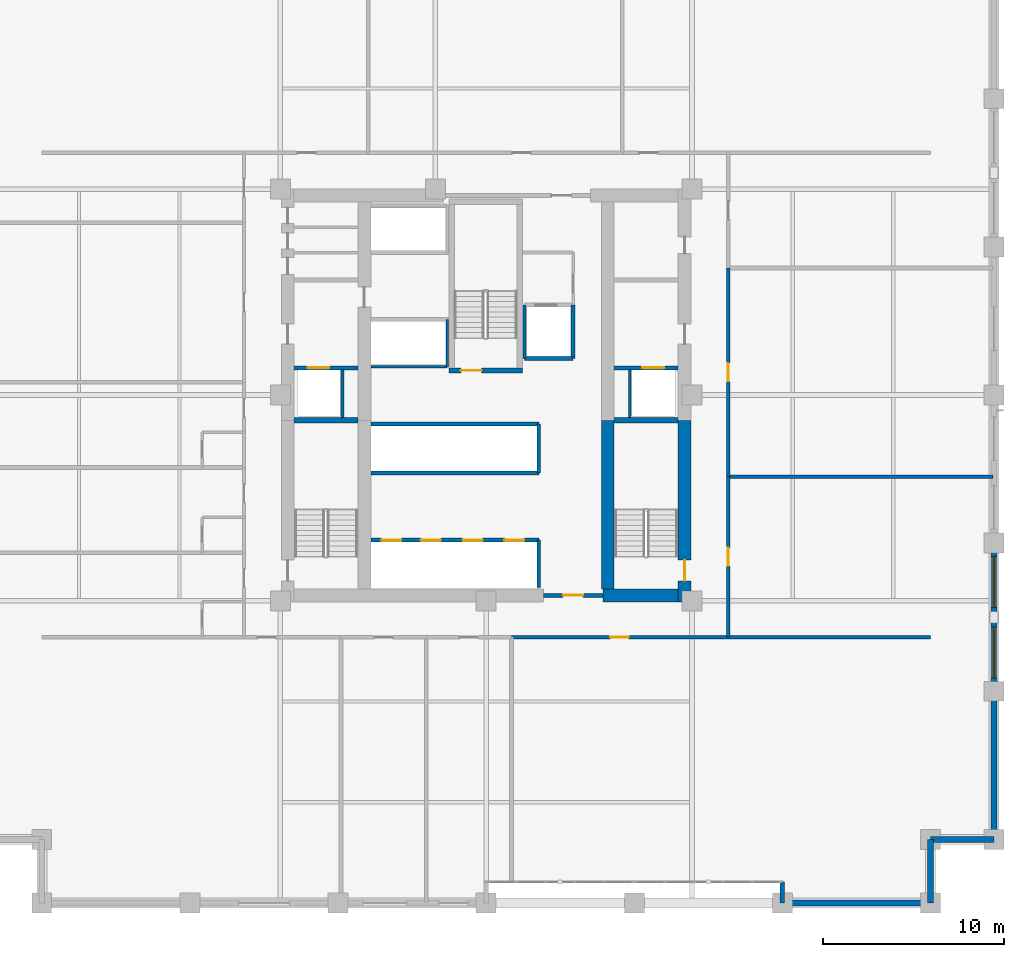
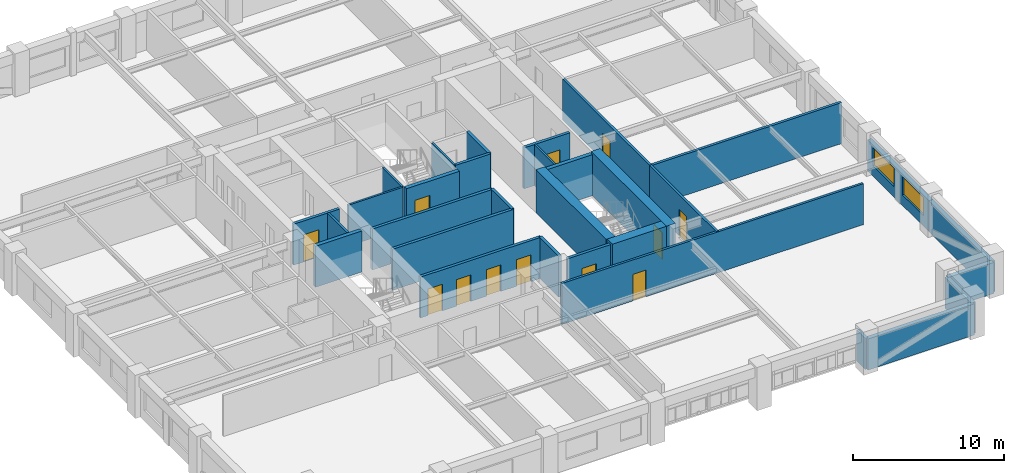
# One storey, part 8 of 13: 31 walls, 12 doors, 2 windows, 14 openings.
"""IFC4 building model written with IfcOpenShell, lengths in metres."""

from ifc_helpers import new_model, si_unit, direction, frame, frame_2d, origin, place, context, subcontext, project, spatial, rectangle, extrude, material, layer, layer_set, type_object, element, fill, save


model = new_model("IFC4")

# Units and contexts
model_context = context("Model", 3, precision=1e-05, world=origin(), true_north=direction((0.0, 1.0)))
body_context = subcontext(model_context, "Body", "Model", "MODEL_VIEW")
ifc_project = project(units=[si_unit("LENGTHUNIT", "METRE"), si_unit("AREAUNIT", "SQUARE_METRE"), si_unit("VOLUMEUNIT", "CUBIC_METRE"), si_unit("PLANEANGLEUNIT", "RADIAN"), si_unit("MASSUNIT", "GRAM", prefix="KILO")], contexts=[model_context])

# Site, building, storey
site_placement = place(None, origin())
site = spatial("IfcSite", under=ifc_project, at=site_placement, CompositionType="ELEMENT")
building_placement = place(site_placement, origin())
building = spatial("IfcBuilding", under=site, at=building_placement, Name="Nhamokura Convention Tower", CompositionType="ELEMENT")
storey_placement = place(building_placement, frame((0.0, 0.0, 63.35009765625)))
storey = spatial("IfcBuildingStorey", under=building, at=storey_placement, Name="L14", CompositionType="ELEMENT", Elevation=63.35009765625)

# Walls
ifc_material_1 = material(Name="Bronze-pigmented precast concrete C45/55", Category="concrete")
ifc_layer_1 = layer(ifc_material_1, 0.320068359375)
ifc_layer_set_1 = layer_set([ifc_layer_1], Name="BronzePrecastSpandrel_320")
wall_type_1 = type_object("IfcWallType", Name="BronzePrecastSpandrel_320", PredefinedType="USERDEFINED", material=ifc_layer_set_1)
wall_1_placement = place(storey_placement, frame((48.333251953125, 4.0, 0.0), z_axis=(0.0, 0.0, 1.0), x_axis=(0.0, 1.0, 0.0)))
element("IfcWall", 1, at=wall_1_placement, inside=storey, type_object=wall_type_1, Name="L14 Scale Slot Cheek Wall SOUTHB", ObjectType="SPANDREL_WALL", PredefinedType="USERDEFINED", context=body_context, shape_type="SweptSolid", body=[
    extrude(rectangle(XDim=1.14990234375, YDim=0.239990234375, at=frame_2d((0.574951171875, 0.0))), origin(), (0.0, 0.0, 1.0), 2.52001953125),
])
for number, where, z_axis, x_axis, name in (
    (2, (56.5, 4.0, 0.0), (0.0, 0.0, 1.0), (-1.0, 0.0, 0.0), "L14 Braced-Bay Precast Wall SOUTH 5"),
    (3, (60.0, 15.666748046875, 0.0), (0.0, 0.0, 1.0), (0.0, -1.0, 0.0), "L14 Braced-Bay Precast Wall EAST 0"),
):
    element("IfcWall", number, at=place(storey_placement, frame(where, z_axis=z_axis, x_axis=x_axis)), inside=storey, type_object=wall_type_1, Name=name, ObjectType="SPANDREL_WALL", PredefinedType="USERDEFINED", context=body_context, shape_type="SweptSolid", body=[
        extrude(rectangle(XDim=8.166748046875, YDim=0.320068359375, at=frame_2d((4.08349609375, 0.0))), origin(), (0.0, 0.0, 1.0), 2.52001953125),
    ])

# Wall, openings, windows
wall_2_placement = place(storey_placement, frame((60.0, 23.833251953125, 0.0), z_axis=(0.0, 0.0, 1.0), x_axis=(0.0, -1.0, 0.0)))
wall_2 = element("IfcWall", 4, at=wall_2_placement, inside=storey, type_object=wall_type_1, Name="L14 Masonry-Frame Wall EAST 1", ObjectType="SPANDREL_WALL", PredefinedType="USERDEFINED", context=body_context, shape_type="SweptSolid", body=[
    extrude(rectangle(XDim=8.16650390625, YDim=0.320068359375, at=frame_2d((4.083251953125, 0.0))), origin(), (0.0, 0.0, 1.0), 2.52001953125),
])
opening_1_placement = place(wall_2_placement, frame((0.74169921875, 0.0, 0.85009765625)))
opening_1 = element("IfcOpeningElement", 5, at=opening_1_placement, cuts=wall_2, Name="Opening W-04", PredefinedType="OPENING", context=body_context, shape_type="SweptSolid", body=[
    extrude(rectangle(XDim=2.800048828125, YDim=1.469970703125, at=frame_2d((1.39990234375, 0.73486328125))), frame((0.0, 0.169921875, 0.0), z_axis=(0.0, -1.0, 0.0), x_axis=(1.0, 0.0, 0.0)), (0.0, 0.0, 1.0), 0.340087890625),
])
opening_2_placement = place(wall_2_placement, frame((4.625, 0.0, 0.85009765625)))
opening_2 = element("IfcOpeningElement", 6, at=opening_2_placement, cuts=wall_2, Name="Opening W-04", PredefinedType="OPENING", context=body_context, shape_type="SweptSolid", body=[
    extrude(rectangle(XDim=2.800048828125, YDim=1.469970703125, at=frame_2d((1.39990234375, 0.73486328125))), frame((0.0, 0.169921875, 0.0), z_axis=(0.0, -1.0, 0.0), x_axis=(1.0, 0.0, 0.0)), (0.0, 0.0, 1.0), 0.340087890625),
])
ifc_material_2 = material(Name="Solar-control bronze low-E double glass", Category="glass")
window_type = type_object("IfcWindowType", Name="HotelSuiteWindow_2800", PartitioningType="DOUBLE_PANEL_VERTICAL", PredefinedType="WINDOW", material=ifc_material_2)
window_1_placement = place(opening_1_placement, origin())
window_1 = element("IfcWindow", 7, at=window_1_placement, inside=storey, type_object=window_type, Name="L14 Facade Window EAST 1-1", OverallHeight=1.469970703125, OverallWidth=2.800048828125, PartitioningType="SINGLE_PANEL", PredefinedType="WINDOW", context=body_context, shape_type="SweptSolid", body=[
    extrude(rectangle(XDim=2.800048828125, YDim=1.469970703125, at=frame_2d((1.39990234375, 0.73486328125))), frame((0.0, 0.030029296875, 0.0), z_axis=(0.0, -1.0, 0.0), x_axis=(1.0, 0.0, 0.0)), (0.0, 0.0, 1.0), 0.06005859375),
])
fill(opening_1, window_1)
window_2_placement = place(opening_2_placement, origin())
window_2 = element("IfcWindow", 8, at=window_2_placement, inside=storey, type_object=window_type, Name="L14 Facade Window EAST 1-2", OverallHeight=1.469970703125, OverallWidth=2.800048828125, PartitioningType="SINGLE_PANEL", PredefinedType="WINDOW", context=body_context, shape_type="SweptSolid", body=[
    extrude(rectangle(XDim=2.800048828125, YDim=1.469970703125, at=frame_2d((1.39990234375, 0.73486328125))), frame((0.0, 0.030029296875, 0.0), z_axis=(0.0, -1.0, 0.0), x_axis=(1.0, 0.0, 0.0)), (0.0, 0.0, 1.0), 0.06005859375),
])
fill(opening_2, window_2)

# Walls
for number, where, z_axis, x_axis, name in (
    (9, (56.5, 7.5, 0.0), (0.0, 0.0, 1.0), (0.0, -1.0, 0.0), "L14 Notched Corner Wall SE1"),
    (10, (60.0, 7.5, 0.0), (0.0, 0.0, 1.0), (-1.0, 0.0, 0.0), "L14 Notched Corner Wall SE2"),
):
    element("IfcWall", number, at=place(storey_placement, frame(where, z_axis=z_axis, x_axis=x_axis)), inside=storey, type_object=wall_type_1, Name=name, ObjectType="SPANDREL_WALL", PredefinedType="USERDEFINED", context=body_context, shape_type="SweptSolid", body=[
        extrude(rectangle(XDim=3.5, YDim=0.320068359375, at=frame_2d((1.75, 0.0))), origin(), (0.0, 0.0, 1.0), 2.52001953125),
    ])

# Wall, opening, door
ifc_material_3 = material(Name="Concrete C70/85", Category="concrete")
ifc_layer_2 = layer(ifc_material_3, 0.699951171875)
ifc_layer_set_2 = layer_set([ifc_layer_2], Name="CoreShearWall_700")
wall_type_2 = type_object("IfcWallType", Name="CoreShearWall_700", PredefinedType="SHEAR", material=ifc_layer_set_2)
wall_3_placement = place(storey_placement, frame((42.93994140625, 20.60009765625, 0.0), z_axis=(0.0, 0.0, 1.0), x_axis=(0.0, 1.0, 0.0)))
wall_3 = element("IfcWall", 11, at=wall_3_placement, inside=storey, type_object=wall_type_2, Name="L14 Core Shear Wall CW-ES", PredefinedType="SHEAR", context=body_context, shape_type="SweptSolid", body=[
    extrude(rectangle(XDim=10.0, YDim=0.699951171875, at=frame_2d((5.0, 0.0))), origin(), (0.0, 0.0, 1.0), 3.5),
])
opening_3_placement = place(wall_3_placement, frame((1.14990234375, 0.0, 0.0)))
opening_3 = element("IfcOpeningElement", 12, at=opening_3_placement, cuts=wall_3, Name="Opening D-04", PredefinedType="OPENING", context=body_context, shape_type="SweptSolid", body=[
    extrude(rectangle(XDim=1.14990234375, YDim=2.14990234375, at=frame_2d((0.574951171875, 1.074951171875))), frame((0.0, 0.35986328125, 0.0), z_axis=(0.0, -1.0, 0.0), x_axis=(1.0, 0.0, 0.0)), (0.0, 0.0, 1.0), 0.719970703125),
])
ifc_material_4 = material(Name="Fire-rated steel door", Category="steel")
door_type_1 = type_object("IfcDoorType", Name="StairSmokeDoor_1150", OperationType="NOTDEFINED", PredefinedType="DOOR", material=ifc_material_4)
door_1_placement = place(opening_3_placement, origin())
door_1 = element("IfcDoor", 13, at=door_1_placement, inside=storey, type_object=door_type_1, Name="L14 Core Door INT-L14-D-ST02", OperationType="SINGLE_SWING_RIGHT", OverallHeight=2.14990234375, OverallWidth=1.14990234375, PredefinedType="DOOR", context=body_context, shape_type="SweptSolid", body=[
    extrude(rectangle(XDim=1.14990234375, YDim=2.14990234375, at=frame_2d((0.574951171875, 1.074951171875))), frame((0.0, 0.02490234375, 0.0), z_axis=(0.0, -1.0, 0.0), x_axis=(1.0, 0.0, 0.0)), (0.0, 0.0, 1.0), 0.050048828125),
])
fill(opening_3, door_1)

# Walls
wall_4_placement = place(storey_placement, frame((38.449951171875, 20.949951171875, 0.0), z_axis=(0.0, 0.0, 1.0), x_axis=(1.0, 0.0, 0.0)))
element("IfcWall", 14, at=wall_4_placement, inside=storey, type_object=wall_type_2, Name="L14 Core Shear Wall CW-S2", PredefinedType="SHEAR", context=body_context, shape_type="SweptSolid", body=[
    extrude(rectangle(XDim=4.14013671875, YDim=0.699951171875, at=frame_2d((2.070068359375, 0.0))), origin(), (0.0, 0.0, 1.0), 3.5),
])
wall_5_placement = place(storey_placement, frame((38.7099609375, 21.300048828125, 0.0), z_axis=(0.0, 0.0, 1.0), x_axis=(0.0, 1.0, 0.0)))
element("IfcWall", 15, at=wall_5_placement, inside=storey, type_object=wall_type_2, Name="L14 Core Shear Wall CW-IES", PredefinedType="SHEAR", context=body_context, shape_type="SweptSolid", body=[
    extrude(rectangle(XDim=9.300048828125, YDim=0.699951171875, at=frame_2d((4.64990234375, 0.0))), origin(), (0.0, 0.0, 1.0), 3.5),
])

# Wall, opening, door
ifc_material_5 = material(Name="Fire-rated gypsum and masonry partition", Category="masonry")
ifc_layer_3 = layer(ifc_material_5, 0.179931640625)
ifc_layer_set_3 = layer_set([ifc_layer_3], Name="CorridorRatedWall_180")
wall_type_3 = type_object("IfcWallType", Name="CorridorRatedWall_180", PredefinedType="STANDARD", material=ifc_layer_set_3)
wall_6_placement = place(storey_placement, frame((33.39990234375, 18.64990234375, 0.0), z_axis=(0.0, 0.0, 1.0), x_axis=(1.0, 0.0, 0.0)))
wall_6 = element("IfcWall", 16, at=wall_6_placement, inside=storey, type_object=wall_type_3, Name="L14 Wall INT-L14-CW-S03", PredefinedType="STANDARD", context=body_context, shape_type="SweptSolid", body=[
    extrude(rectangle(XDim=23.10009765625, YDim=0.179931640625, at=frame_2d((11.550048828125, 0.0))), origin(), (0.0, 0.0, 1.0), 3.31982421875),
])
opening_4_placement = place(wall_6_placement, frame((5.449951171875, 0.0, 0.0)))
opening_4 = element("IfcOpeningElement", 17, at=opening_4_placement, cuts=wall_6, Name="Opening D-07", PredefinedType="OPENING", context=body_context, shape_type="SweptSolid", body=[
    extrude(rectangle(XDim=1.0, YDim=2.14990234375, at=frame_2d((0.5, 1.074951171875))), frame((0.0, 0.099853515625, 0.0), z_axis=(0.0, -1.0, 0.0), x_axis=(1.0, 0.0, 0.0)), (0.0, 0.0, 1.0), 0.199951171875),
])
ifc_material_6 = material(Name="Solid oak hardwood", Category="wood")
door_type_2 = type_object("IfcDoorType", Name="HotelSuiteEntryDoor_1000", OperationType="NOTDEFINED", PredefinedType="DOOR", material=ifc_material_6)
door_2_placement = place(opening_4_placement, origin())
door_2 = element("IfcDoor", 18, at=door_2_placement, inside=storey, type_object=door_type_2, Name="L14 Conference Salon S04 Door", OperationType="SINGLE_SWING_RIGHT", OverallHeight=2.14990234375, OverallWidth=1.0, PredefinedType="DOOR", context=body_context, shape_type="SweptSolid", body=[
    extrude(rectangle(XDim=1.0, YDim=2.14990234375, at=frame_2d((0.5, 1.074951171875))), frame((0.0, 0.02490234375, 0.0), z_axis=(0.0, -1.0, 0.0), x_axis=(1.0, 0.0, 0.0)), (0.0, 0.0, 1.0), 0.050048828125),
])
fill(opening_4, door_2)

wall_7_placement = place(storey_placement, frame((45.35009765625, 18.64990234375, 0.0), z_axis=(0.0, 0.0, 1.0), x_axis=(0.0, 1.0, 0.0)))
wall_7 = element("IfcWall", 19, at=wall_7_placement, inside=storey, type_object=wall_type_3, Name="L14 Wall INT-L14-CW-E00", PredefinedType="STANDARD", context=body_context, shape_type="SweptSolid", body=[
    extrude(rectangle(XDim=8.85009765625, YDim=0.179931640625, at=frame_2d((4.425048828125, 0.0))), origin(), (0.0, 0.0, 1.0), 3.31982421875),
])
opening_5_placement = place(wall_7_placement, frame((3.925048828125, 0.0, 0.0)))
opening_5 = element("IfcOpeningElement", 20, at=opening_5_placement, cuts=wall_7, Name="Opening D-07", PredefinedType="OPENING", context=body_context, shape_type="SweptSolid", body=[
    extrude(rectangle(XDim=1.0, YDim=2.14990234375, at=frame_2d((0.5, 1.074951171875))), frame((0.0, 0.099853515625, 0.0), z_axis=(0.0, -1.0, 0.0), x_axis=(1.0, 0.0, 0.0)), (0.0, 0.0, 1.0), 0.199951171875),
])
door_3_placement = place(opening_5_placement, origin())
door_3 = element("IfcDoor", 21, at=door_3_placement, inside=storey, type_object=door_type_2, Name="L14 Business Studio E01 Door", OperationType="SINGLE_SWING_LEFT", OverallHeight=2.14990234375, OverallWidth=1.0, PredefinedType="DOOR", context=body_context, shape_type="SweptSolid", body=[
    extrude(rectangle(XDim=1.0, YDim=2.14990234375, at=frame_2d((0.5, 1.074951171875))), frame((0.0, 0.02490234375, 0.0), z_axis=(0.0, -1.0, 0.0), x_axis=(1.0, 0.0, 0.0)), (0.0, 0.0, 1.0), 0.050048828125),
])
fill(opening_5, door_3)

wall_8_placement = place(storey_placement, frame((45.35009765625, 27.5, 0.0), z_axis=(0.0, 0.0, 1.0), x_axis=(0.0, 1.0, 0.0)))
wall_8 = element("IfcWall", 22, at=wall_8_placement, inside=storey, type_object=wall_type_3, Name="L14 Wall INT-L14-CW-E01", PredefinedType="STANDARD", context=body_context, shape_type="SweptSolid", body=[
    extrude(rectangle(XDim=11.5, YDim=0.179931640625, at=frame_2d((5.75, 0.0))), origin(), (0.0, 0.0, 1.0), 3.31982421875),
])
opening_6_placement = place(wall_8_placement, frame((5.25, 0.0, 0.0)))
opening_6 = element("IfcOpeningElement", 23, at=opening_6_placement, cuts=wall_8, Name="Opening D-07", PredefinedType="OPENING", context=body_context, shape_type="SweptSolid", body=[
    extrude(rectangle(XDim=1.0, YDim=2.14990234375, at=frame_2d((0.5, 1.074951171875))), frame((0.0, 0.099853515625, 0.0), z_axis=(0.0, -1.0, 0.0), x_axis=(1.0, 0.0, 0.0)), (0.0, 0.0, 1.0), 0.199951171875),
])
door_4_placement = place(opening_6_placement, origin())
door_4 = element("IfcDoor", 24, at=door_4_placement, inside=storey, type_object=door_type_2, Name="L14 Housekeeping Store E02 Door", OperationType="SINGLE_SWING_RIGHT", OverallHeight=2.14990234375, OverallWidth=1.0, PredefinedType="DOOR", context=body_context, shape_type="SweptSolid", body=[
    extrude(rectangle(XDim=1.0, YDim=2.14990234375, at=frame_2d((0.5, 1.074951171875))), frame((0.0, 0.02490234375, 0.0), z_axis=(0.0, -1.0, 0.0), x_axis=(1.0, 0.0, 0.0)), (0.0, 0.0, 1.0), 0.050048828125),
])
fill(opening_6, door_4)

ifc_material_7 = material(Name="Autoclaved concrete blockwork", Category="masonry")
ifc_layer_4 = layer(ifc_material_7, 0.219970703125)
ifc_layer_set_4 = layer_set([ifc_layer_4], Name="FireLobbyWall_220")
wall_type_4 = type_object("IfcWallType", Name="FireLobbyWall_220", PredefinedType="STANDARD", material=ifc_layer_set_4)
wall_9_placement = place(storey_placement, frame((21.409912109375, 33.5, 0.0), z_axis=(0.0, 0.0, 1.0), x_axis=(1.0, 0.0, 0.0)))
wall_9 = element("IfcWall", 25, at=wall_9_placement, inside=storey, type_object=wall_type_4, Name="L14 Wall INT-L14-FFW-S", PredefinedType="STANDARD", context=body_context, shape_type="SweptSolid", body=[
    extrude(rectangle(XDim=3.530029296875, YDim=0.219970703125, at=frame_2d((1.76513671875, 0.0))), origin(), (0.0, 0.0, 1.0), 3.31982421875),
])
opening_7_placement = place(wall_9_placement, frame((0.75, 0.0, 0.0)))
opening_7 = element("IfcOpeningElement", 26, at=opening_7_placement, cuts=wall_9, Name="Opening LD-02", PredefinedType="OPENING", context=body_context, shape_type="SweptSolid", body=[
    extrude(rectangle(XDim=1.199951171875, YDim=2.199951171875, at=frame_2d((0.60009765625, 1.10009765625))), frame((0.0, 0.119873046875, 0.0), z_axis=(0.0, -1.0, 0.0), x_axis=(1.0, 0.0, 0.0)), (0.0, 0.0, 1.0), 0.239990234375),
])
ifc_material_8 = material(Name="Anodised bronze stainless steel", Category="steel")
door_type_3 = type_object("IfcDoorType", Name="LiftLandingDoor_FireService", OperationType="DOUBLE_DOOR_SLIDING", PredefinedType="DOOR", material=ifc_material_8)
door_5_placement = place(opening_7_placement, origin())
door_5 = element("IfcDoor", 27, at=door_5_placement, inside=storey, type_object=door_type_3, Name="L14 Firefighting Lift LF-01 Door", OperationType="DOUBLE_DOOR_SLIDING", OverallHeight=2.199951171875, OverallWidth=1.199951171875, PredefinedType="DOOR", context=body_context, shape_type="SweptSolid", body=[
    extrude(rectangle(XDim=1.199951171875, YDim=2.199951171875, at=frame_2d((0.60009765625, 1.10009765625))), frame((0.0, 0.02490234375, 0.0), z_axis=(0.0, -1.0, 0.0), x_axis=(1.0, 0.0, 0.0)), (0.0, 0.0, 1.0), 0.050048828125),
])
fill(opening_7, door_5)

wall_10_placement = place(storey_placement, frame((39.06005859375, 33.5, 0.0), z_axis=(0.0, 0.0, 1.0), x_axis=(1.0, 0.0, 0.0)))
wall_10 = element("IfcWall", 28, at=wall_10_placement, inside=storey, type_object=wall_type_4, Name="L14 Wall INT-L14-FFE-S", PredefinedType="STANDARD", context=body_context, shape_type="SweptSolid", body=[
    extrude(rectangle(XDim=3.530029296875, YDim=0.219970703125, at=frame_2d((1.76513671875, 0.0))), origin(), (0.0, 0.0, 1.0), 3.31982421875),
])
opening_8_placement = place(wall_10_placement, frame((1.550048828125, 0.0, 0.0)))
opening_8 = element("IfcOpeningElement", 29, at=opening_8_placement, cuts=wall_10, Name="Opening LD-02", PredefinedType="OPENING", context=body_context, shape_type="SweptSolid", body=[
    extrude(rectangle(XDim=1.199951171875, YDim=2.199951171875, at=frame_2d((0.60009765625, 1.10009765625))), frame((0.0, 0.119873046875, 0.0), z_axis=(0.0, -1.0, 0.0), x_axis=(1.0, 0.0, 0.0)), (0.0, 0.0, 1.0), 0.239990234375),
])
door_6_placement = place(opening_8_placement, origin())
door_6 = element("IfcDoor", 30, at=door_6_placement, inside=storey, type_object=door_type_3, Name="L14 Firefighting Lift LF-02 Door", OperationType="DOUBLE_DOOR_SLIDING", OverallHeight=2.199951171875, OverallWidth=1.199951171875, PredefinedType="DOOR", context=body_context, shape_type="SweptSolid", body=[
    extrude(rectangle(XDim=1.199951171875, YDim=2.199951171875, at=frame_2d((0.60009765625, 1.10009765625))), frame((0.0, 0.02490234375, 0.0), z_axis=(0.0, -1.0, 0.0), x_axis=(1.0, 0.0, 0.0)), (0.0, 0.0, 1.0), 0.050048828125),
])
fill(opening_8, door_6)

wall_11_placement = place(storey_placement, frame((35.14990234375, 20.949951171875, 0.0), z_axis=(0.0, 0.0, 1.0), x_axis=(1.0, 0.0, 0.0)))
wall_11 = element("IfcWall", 31, at=wall_11_placement, inside=storey, type_object=wall_type_4, Name="L14 Wall INT-L14-SPORT-S", PredefinedType="STANDARD", context=body_context, shape_type="SweptSolid", body=[
    extrude(rectangle(XDim=3.300048828125, YDim=0.219970703125, at=frame_2d((1.64990234375, 0.0))), origin(), (0.0, 0.0, 1.0), 3.31982421875),
])
opening_9_placement = place(wall_11_placement, frame((1.10009765625, 0.0, 0.0)))
opening_9 = element("IfcOpeningElement", 32, at=opening_9_placement, cuts=wall_11, Name="Opening D-05", PredefinedType="OPENING", context=body_context, shape_type="SweptSolid", body=[
    extrude(rectangle(XDim=1.10009765625, YDim=2.14990234375, at=frame_2d((0.550048828125, 1.074951171875))), frame((0.0, 0.119873046875, 0.0), z_axis=(0.0, -1.0, 0.0), x_axis=(1.0, 0.0, 0.0)), (0.0, 0.0, 1.0), 0.239990234375),
])
ifc_material_9 = material(Name="Fire-rated steel door", Category="steel")
door_type_4 = type_object("IfcDoorType", Name="FireLobbyDoor_1100", OperationType="NOTDEFINED", PredefinedType="DOOR", material=ifc_material_9)
door_7_placement = place(opening_9_placement, origin())
door_7 = element("IfcDoor", 33, at=door_7_placement, inside=storey, type_object=door_type_4, Name="L14 South Core Lobby Portal Door", OperationType="SINGLE_SWING_LEFT", OverallHeight=2.14990234375, OverallWidth=1.10009765625, PredefinedType="DOOR", context=body_context, shape_type="SweptSolid", body=[
    extrude(rectangle(XDim=1.10009765625, YDim=2.14990234375, at=frame_2d((0.550048828125, 1.074951171875))), frame((0.0, 0.02490234375, 0.0), z_axis=(0.0, -1.0, 0.0), x_axis=(1.0, 0.0, 0.0)), (0.0, 0.0, 1.0), 0.050048828125),
])
fill(opening_9, door_7)

# Wall, openings, doors
wall_12_placement = place(storey_placement, frame((25.64990234375, 24.0, 0.0), z_axis=(0.0, 0.0, 1.0), x_axis=(1.0, 0.0, 0.0)))
wall_12 = element("IfcWall", 34, at=wall_12_placement, inside=storey, type_object=wall_type_4, Name="L14 Wall INT-L14-B1N", PredefinedType="STANDARD", context=body_context, shape_type="SweptSolid", body=[
    extrude(rectangle(XDim=9.25, YDim=0.219970703125, at=frame_2d((4.625, 0.0))), origin(), (0.0, 0.0, 1.0), 3.31982421875),
])
opening_10_placement = place(wall_12_placement, frame((0.580078125, 0.0, 0.0)))
opening_10 = element("IfcOpeningElement", 35, at=opening_10_placement, cuts=wall_12, Name="Opening LD-01", PredefinedType="OPENING", context=body_context, shape_type="SweptSolid", body=[
    extrude(rectangle(XDim=1.10009765625, YDim=2.14990234375, at=frame_2d((0.550048828125, 1.074951171875))), frame((0.0, 0.119873046875, 0.0), z_axis=(0.0, -1.0, 0.0), x_axis=(1.0, 0.0, 0.0)), (0.0, 0.0, 1.0), 0.239990234375),
])
opening_11_placement = place(wall_12_placement, frame((2.75, 0.0, 0.0)))
opening_11 = element("IfcOpeningElement", 36, at=opening_11_placement, cuts=wall_12, Name="Opening LD-01", PredefinedType="OPENING", context=body_context, shape_type="SweptSolid", body=[
    extrude(rectangle(XDim=1.10009765625, YDim=2.14990234375, at=frame_2d((0.550048828125, 1.074951171875))), frame((0.0, 0.119873046875, 0.0), z_axis=(0.0, -1.0, 0.0), x_axis=(1.0, 0.0, 0.0)), (0.0, 0.0, 1.0), 0.239990234375),
])
opening_12_placement = place(wall_12_placement, frame((5.050048828125, 0.0, 0.0)))
opening_12 = element("IfcOpeningElement", 37, at=opening_12_placement, cuts=wall_12, Name="Opening LD-01", PredefinedType="OPENING", context=body_context, shape_type="SweptSolid", body=[
    extrude(rectangle(XDim=1.10009765625, YDim=2.14990234375, at=frame_2d((0.550048828125, 1.074951171875))), frame((0.0, 0.119873046875, 0.0), z_axis=(0.0, -1.0, 0.0), x_axis=(1.0, 0.0, 0.0)), (0.0, 0.0, 1.0), 0.239990234375),
])
opening_13_placement = place(wall_12_placement, frame((7.35009765625, 0.0, 0.0)))
opening_13 = element("IfcOpeningElement", 38, at=opening_13_placement, cuts=wall_12, Name="Opening LD-01", PredefinedType="OPENING", context=body_context, shape_type="SweptSolid", body=[
    extrude(rectangle(XDim=1.10009765625, YDim=2.14990234375, at=frame_2d((0.550048828125, 1.074951171875))), frame((0.0, 0.119873046875, 0.0), z_axis=(0.0, -1.0, 0.0), x_axis=(1.0, 0.0, 0.0)), (0.0, 0.0, 1.0), 0.239990234375),
])
ifc_material_10 = material(Name="Anodised bronze stainless steel", Category="steel")
door_type_5 = type_object("IfcDoorType", Name="LiftLandingDoor_Passenger", OperationType="DOUBLE_DOOR_SLIDING", PredefinedType="DOOR", material=ifc_material_10)
door_8_placement = place(opening_10_placement, origin())
door_8 = element("IfcDoor", 39, at=door_8_placement, inside=storey, type_object=door_type_5, Name="L14 Lift LP-01 Landing Door", OperationType="DOUBLE_DOOR_SLIDING", OverallHeight=2.14990234375, OverallWidth=1.10009765625, PredefinedType="DOOR", context=body_context, shape_type="SweptSolid", body=[
    extrude(rectangle(XDim=1.10009765625, YDim=2.14990234375, at=frame_2d((0.550048828125, 1.074951171875))), frame((0.0, 0.02490234375, 0.0), z_axis=(0.0, -1.0, 0.0), x_axis=(1.0, 0.0, 0.0)), (0.0, 0.0, 1.0), 0.050048828125),
])
fill(opening_10, door_8)
door_9_placement = place(opening_11_placement, origin())
door_9 = element("IfcDoor", 40, at=door_9_placement, inside=storey, type_object=door_type_5, Name="L14 Lift LP-02 Landing Door", OperationType="DOUBLE_DOOR_SLIDING", OverallHeight=2.14990234375, OverallWidth=1.10009765625, PredefinedType="DOOR", context=body_context, shape_type="SweptSolid", body=[
    extrude(rectangle(XDim=1.10009765625, YDim=2.14990234375, at=frame_2d((0.550048828125, 1.074951171875))), frame((0.0, 0.02490234375, 0.0), z_axis=(0.0, -1.0, 0.0), x_axis=(1.0, 0.0, 0.0)), (0.0, 0.0, 1.0), 0.050048828125),
])
fill(opening_11, door_9)
door_10_placement = place(opening_12_placement, origin())
door_10 = element("IfcDoor", 41, at=door_10_placement, inside=storey, type_object=door_type_5, Name="L14 Lift LP-03 Landing Door", OperationType="DOUBLE_DOOR_SLIDING", OverallHeight=2.14990234375, OverallWidth=1.10009765625, PredefinedType="DOOR", context=body_context, shape_type="SweptSolid", body=[
    extrude(rectangle(XDim=1.10009765625, YDim=2.14990234375, at=frame_2d((0.550048828125, 1.074951171875))), frame((0.0, 0.02490234375, 0.0), z_axis=(0.0, -1.0, 0.0), x_axis=(1.0, 0.0, 0.0)), (0.0, 0.0, 1.0), 0.050048828125),
])
fill(opening_12, door_10)
door_11_placement = place(opening_13_placement, origin())
door_11 = element("IfcDoor", 42, at=door_11_placement, inside=storey, type_object=door_type_5, Name="L14 Lift LP-04 Landing Door", OperationType="DOUBLE_DOOR_SLIDING", OverallHeight=2.14990234375, OverallWidth=1.10009765625, PredefinedType="DOOR", context=body_context, shape_type="SweptSolid", body=[
    extrude(rectangle(XDim=1.10009765625, YDim=2.14990234375, at=frame_2d((0.550048828125, 1.074951171875))), frame((0.0, 0.02490234375, 0.0), z_axis=(0.0, -1.0, 0.0), x_axis=(1.0, 0.0, 0.0)), (0.0, 0.0, 1.0), 0.050048828125),
])
fill(opening_13, door_11)

# Walls
wall_13_placement = place(storey_placement, frame((34.89990234375, 21.39990234375, 0.0), z_axis=(0.0, 0.0, 1.0), x_axis=(0.0, 1.0, 0.0)))
element("IfcWall", 43, at=wall_13_placement, inside=storey, type_object=wall_type_4, Name="L14 Wall INT-L14-B1E", PredefinedType="STANDARD", context=body_context, shape_type="SweptSolid", body=[
    extrude(rectangle(XDim=2.60009765625, YDim=0.219970703125, at=frame_2d((1.300048828125, 0.0))), origin(), (0.0, 0.0, 1.0), 3.31982421875),
])
for number, where, z_axis, x_axis, name in (
    (44, (25.64990234375, 27.699951171875, 0.0), (0.0, 0.0, 1.0), (1.0, 0.0, 0.0), "L14 Wall INT-L14-B2S"),
    (45, (25.64990234375, 30.39990234375, 0.0), (0.0, 0.0, 1.0), (1.0, 0.0, 0.0), "L14 Wall INT-L14-B2N"),
):
    element("IfcWall", number, at=place(storey_placement, frame(where, z_axis=z_axis, x_axis=x_axis)), inside=storey, type_object=wall_type_4, Name=name, PredefinedType="STANDARD", context=body_context, shape_type="SweptSolid", body=[
        extrude(rectangle(XDim=9.25, YDim=0.219970703125, at=frame_2d((4.625, 0.0))), origin(), (0.0, 0.0, 1.0), 3.31982421875),
    ])
wall_14_placement = place(storey_placement, frame((34.89990234375, 27.699951171875, 0.0), z_axis=(0.0, 0.0, 1.0), x_axis=(0.0, 1.0, 0.0)))
element("IfcWall", 46, at=wall_14_placement, inside=storey, type_object=wall_type_4, Name="L14 Wall INT-L14-B2E", PredefinedType="STANDARD", context=body_context, shape_type="SweptSolid", body=[
    extrude(rectangle(XDim=2.699951171875, YDim=0.219970703125, at=frame_2d((1.35009765625, 0.0))), origin(), (0.0, 0.0, 1.0), 3.31982421875),
])
wall_15_placement = place(storey_placement, frame((36.800048828125, 34.02001953125, 0.0), z_axis=(0.0, 0.0, 1.0), x_axis=(0.0, 1.0, 0.0)))
element("IfcWall", 47, at=wall_15_placement, inside=storey, type_object=wall_type_4, Name="L14 Wall INT-L14-LSE", PredefinedType="STANDARD", context=body_context, shape_type="SweptSolid", body=[
    extrude(rectangle(XDim=2.929931640625, YDim=0.219970703125, at=frame_2d((1.46484375, 0.0))), origin(), (0.0, 0.0, 1.0), 3.31982421875),
])
wall_16_placement = place(storey_placement, frame((34.1201171875, 34.02001953125, 0.0), z_axis=(0.0, 0.0, 1.0), x_axis=(1.0, 0.0, 0.0)))
element("IfcWall", 48, at=wall_16_placement, inside=storey, type_object=wall_type_4, Name="L14 Wall INT-L14-LSS", PredefinedType="STANDARD", context=body_context, shape_type="SweptSolid", body=[
    extrude(rectangle(XDim=2.679931640625, YDim=0.219970703125, at=frame_2d((1.33984375, 0.0))), origin(), (0.0, 0.0, 1.0), 3.31982421875),
])
ifc_material_11 = material(Name="Acoustic twin-stud gypsum partition", Category="masonry")
ifc_layer_5 = layer(ifc_material_11, 0.199951171875)
ifc_layer_set_5 = layer_set([ifc_layer_5], Name="HotelDemisingWall_200")
wall_type_5 = type_object("IfcWallType", Name="HotelDemisingWall_200", PredefinedType="STANDARD", material=ifc_layer_set_5)
wall_17_placement = place(storey_placement, frame((45.35009765625, 27.5, 0.0), z_axis=(0.0, 0.0, 1.0), x_axis=(1.0, 0.0, 0.0)))
element("IfcWall", 49, at=wall_17_placement, inside=storey, type_object=wall_type_5, Name="L14 Wall INT-L14-RW-E01", PredefinedType="STANDARD", context=body_context, shape_type="SweptSolid", body=[
    extrude(rectangle(XDim=14.58984375, YDim=0.199951171875, at=frame_2d((7.294921875, 0.0))), origin(), (0.0, 0.0, 1.0), 3.31982421875),
])
ifc_material_12 = material(Name="Acoustic gypsum stud partition", Category="masonry")
ifc_layer_6 = layer(ifc_material_12, 0.14990234375)
ifc_layer_set_6 = layer_set([ifc_layer_6], Name="InteriorPartition_150")
wall_type_6 = type_object("IfcWallType", Name="InteriorPartition_150", PredefinedType="STANDARD", material=ifc_layer_set_6)
for number, where, z_axis, x_axis, name in (
    (50, (24.080078125, 30.75, 0.0), (0.0, 0.0, 1.0), (0.0, 1.0, 0.0), "L14 Wall INT-L14-FF1-E"),
    (51, (39.919921875, 30.75, 0.0), (0.0, 0.0, 1.0), (0.0, 1.0, 0.0), "L14 Wall INT-L14-FF2-W"),
):
    element("IfcWall", number, at=place(storey_placement, frame(where, z_axis=z_axis, x_axis=x_axis)), inside=storey, type_object=wall_type_6, Name=name, PredefinedType="STANDARD", context=body_context, shape_type="SweptSolid", body=[
        extrude(rectangle(XDim=2.64990234375, YDim=0.14990234375, at=frame_2d((1.324951171875, 0.0))), origin(), (0.0, 0.0, 1.0), 3.31982421875),
    ])
wall_18_placement = place(storey_placement, frame((25.64990234375, 33.550048828125, 0.0), z_axis=(0.0, 0.0, 1.0), x_axis=(1.0, 0.0, 0.0)))
element("IfcWall", 52, at=wall_18_placement, inside=storey, type_object=wall_type_6, Name="L14 Wall INT-L14-B3A-S", PredefinedType="STANDARD", context=body_context, shape_type="SweptSolid", body=[
    extrude(rectangle(XDim=4.2001953125, YDim=0.14990234375, at=frame_2d((2.10009765625, 0.0))), origin(), (0.0, 0.0, 1.0), 3.31982421875),
])
wall_19_placement = place(storey_placement, frame((29.85009765625, 33.550048828125, 0.0), z_axis=(0.0, 0.0, 1.0), x_axis=(0.0, 1.0, 0.0)))
element("IfcWall", 53, at=wall_19_placement, inside=storey, type_object=wall_type_6, Name="L14 Wall INT-L14-B3A-E", PredefinedType="STANDARD", context=body_context, shape_type="SweptSolid", body=[
    extrude(rectangle(XDim=2.599853515625, YDim=0.14990234375, at=frame_2d((1.2998046875, 0.0))), origin(), (0.0, 0.0, 1.0), 3.31982421875),
])
wall_20_placement = place(storey_placement, frame((34.1201171875, 34.02001953125, 0.0), z_axis=(0.0, 0.0, 1.0), x_axis=(0.0, 1.0, 0.0)))
element("IfcWall", 54, at=wall_20_placement, inside=storey, type_object=wall_type_6, Name="L14 Wall INT-L14-LSW", PredefinedType="STANDARD", context=body_context, shape_type="SweptSolid", body=[
    extrude(rectangle(XDim=2.929931640625, YDim=0.14990234375, at=frame_2d((1.46484375, 0.0))), origin(), (0.0, 0.0, 1.0), 3.31982421875),
])
ifc_material_13 = material(Name="Concrete C50/60", Category="concrete")
ifc_layer_7 = layer(ifc_material_13, 0.300048828125)
ifc_layer_set_7 = layer_set([ifc_layer_7], Name="ShaftEnclosureWall_300")
wall_type_7 = type_object("IfcWallType", Name="ShaftEnclosureWall_300", PredefinedType="SHEAR", material=ifc_layer_set_7)
for number, where, z_axis, x_axis, name in (
    (55, (21.409912109375, 30.60009765625, 0.0), (0.0, 0.0, 1.0), (1.0, 0.0, 0.0), "L14 Wall INT-L14-ST01-N"),
    (56, (39.06005859375, 30.60009765625, 0.0), (0.0, 0.0, 1.0), (1.0, 0.0, 0.0), "L14 Wall INT-L14-ST02-N"),
):
    element("IfcWall", number, at=place(storey_placement, frame(where, z_axis=z_axis, x_axis=x_axis)), inside=storey, type_object=wall_type_7, Name=name, PredefinedType="SHEAR", context=body_context, shape_type="SweptSolid", body=[
        extrude(rectangle(XDim=3.530029296875, YDim=0.300048828125, at=frame_2d((1.76513671875, 0.0))), origin(), (0.0, 0.0, 1.0), 3.31982421875),
    ])

# Wall, opening, door
wall_21_placement = place(storey_placement, frame((29.949951171875, 33.35009765625, 0.0), z_axis=(0.0, 0.0, 1.0), x_axis=(1.0, 0.0, 0.0)))
wall_21 = element("IfcWall", 57, at=wall_21_placement, inside=storey, type_object=wall_type_7, Name="L14 Wall INT-L14-ST03S", PredefinedType="SHEAR", context=body_context, shape_type="SweptSolid", body=[
    extrude(rectangle(XDim=4.050048828125, YDim=0.300048828125, at=frame_2d((2.02490234375, 0.0))), origin(), (0.0, 0.0, 1.0), 3.31982421875),
])
opening_14_placement = place(wall_21_placement, frame((0.64990234375, 0.0, 0.0)))
opening_14 = element("IfcOpeningElement", 58, at=opening_14_placement, cuts=wall_21, Name="Opening D-04", PredefinedType="OPENING", context=body_context, shape_type="SweptSolid", body=[
    extrude(rectangle(XDim=1.14990234375, YDim=2.14990234375, at=frame_2d((0.574951171875, 1.074951171875))), frame((0.0, 0.159912109375, 0.0), z_axis=(0.0, -1.0, 0.0), x_axis=(1.0, 0.0, 0.0)), (0.0, 0.0, 1.0), 0.320068359375),
])
door_12_placement = place(opening_14_placement, origin())
door_12 = element("IfcDoor", 59, at=door_12_placement, inside=storey, type_object=door_type_1, Name="L14 Stair ST-03 Smoke Door", OperationType="SINGLE_SWING_LEFT", OverallHeight=2.14990234375, OverallWidth=1.14990234375, PredefinedType="DOOR", context=body_context, shape_type="SweptSolid", body=[
    extrude(rectangle(XDim=1.14990234375, YDim=2.14990234375, at=frame_2d((0.574951171875, 1.074951171875))), frame((0.0, 0.02490234375, 0.0), z_axis=(0.0, -1.0, 0.0), x_axis=(1.0, 0.0, 0.0)), (0.0, 0.0, 1.0), 0.050048828125),
])
fill(opening_14, door_12)

save(model, "model.ifc")
